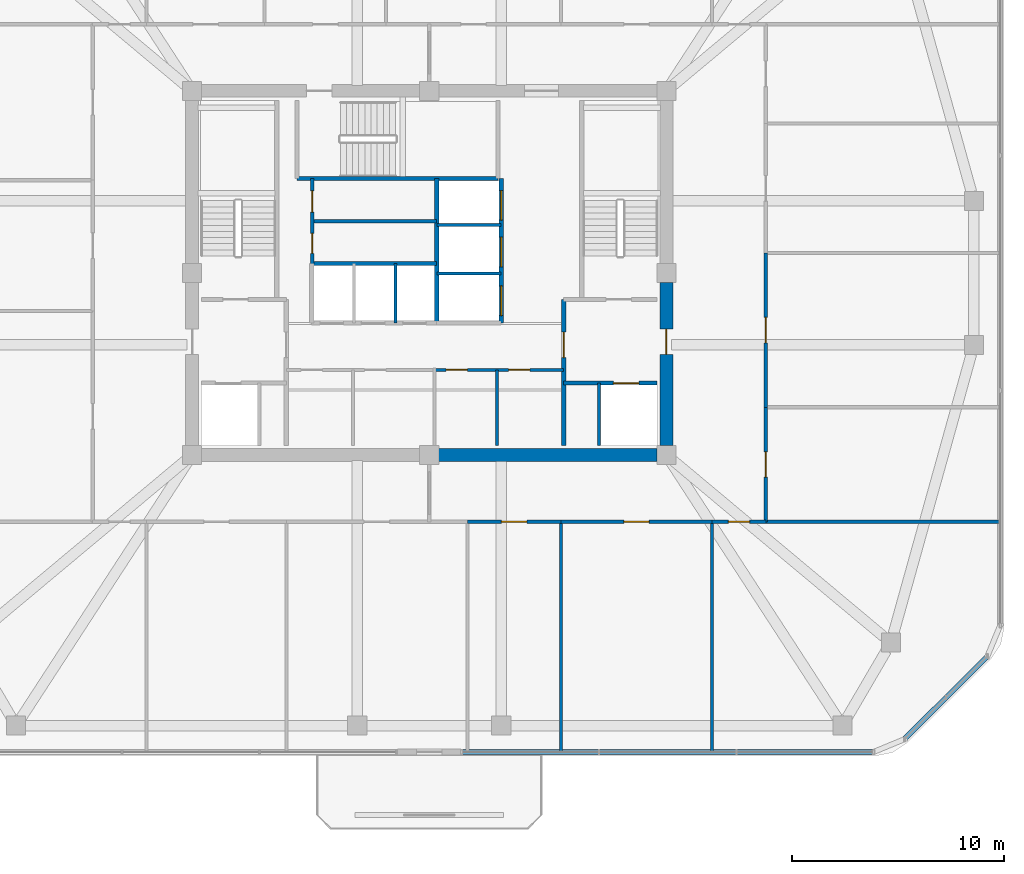
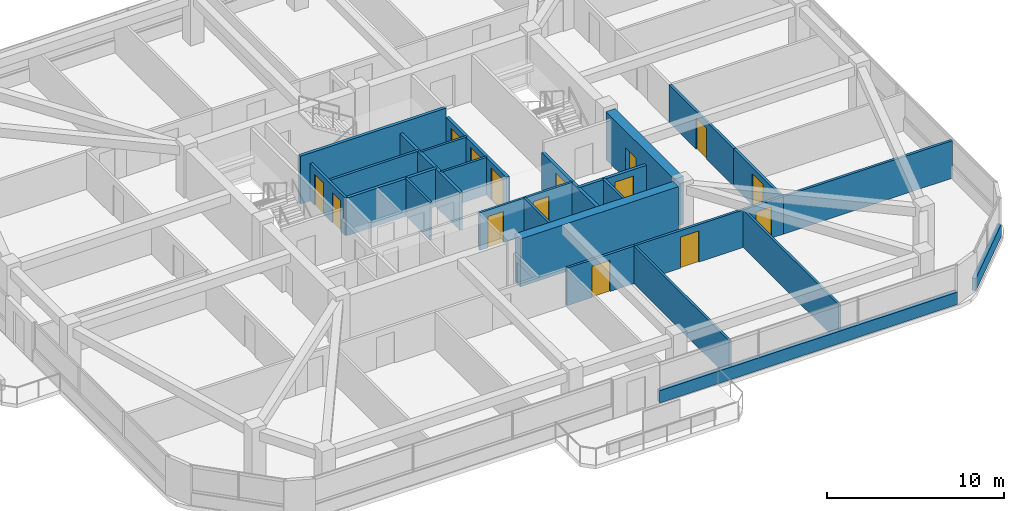
# One storey, part 9 of 13: 26 walls, 15 doors, 15 openings.
"""IFC4 building model written with IfcOpenShell, lengths in metres."""

import ifcopenshell
import ifcopenshell.guid

model = None  # the IFC model being written
_history = None  # IfcOwnerHistory: only IFC2X3 demands one
_inside = {}  # id of a spatial element -> (the spatial element, [elements in it])
_under = {}  # id of a project, library or spatial element -> (it, [spatial elements below it])
_declared = {}  # id of a project -> (the project, [libraries it declares])
_typed = {}  # id of a type object -> (the type object, [elements of that type])
_made_of = {}  # id of a material, layer set ... -> (it, [elements and type objects made of it])


def new_model(schema):
    """Start an empty IFC model of exactly this schema.

    Asked for "IFC4X3", IfcOpenShell would pick the latest addendum, in which some entities
    have other attributes; the version numbers below select the first issue.
    IFC2X3 requires an IfcOwnerHistory on every rooted entity: one is made here for all.
    """
    global model, _history
    if schema == "IFC4X3":
        model = ifcopenshell.file(schema_version=(4, 3, 0, 0))
    else:
        model = ifcopenshell.file(schema=schema)
    _inside.clear()
    _under.clear()
    _declared.clear()
    _typed.clear()
    _made_of.clear()
    _history = None
    if model.schema == "IFC2X3":
        org = make("IfcOrganization", Name="unknown")
        user = make(
            "IfcPersonAndOrganization",
            ThePerson=make("IfcPerson", FamilyName="unknown"),
            TheOrganization=org,
        )
        app = make(
            "IfcApplication",
            ApplicationDeveloper=org,
            Version="unknown",
            ApplicationFullName="unknown",
            ApplicationIdentifier="unknown",
        )
        _history = make(
            "IfcOwnerHistory",
            OwningUser=user,
            OwningApplication=app,
            ChangeAction="ADDED",
            CreationDate=0,
        )
    return model


def make(cls, **values):
    """One entity of the class cls with the attributes given. An attribute that is None is left unset."""
    return model.create_entity(
        cls, **{name: value for name, value in values.items() if value is not None}
    )


def rooted(cls, **values):
    """An entity with a GlobalId (a new one), such as an element, a storey or a relation."""
    return make(cls, GlobalId=ifcopenshell.guid.new(), OwnerHistory=_history, **values)


def si_unit(unit_type, name, prefix=None):
    """IfcSIUnit, for example si_unit("LENGTHUNIT", "METRE", prefix="MILLI")."""
    return make("IfcSIUnit", UnitType=unit_type, Prefix=prefix, Name=name)


def derived_unit(unit_type, elements):
    """IfcDerivedUnit: a product of units, each with its exponent."""
    return make(
        "IfcDerivedUnit",
        Elements=[
            make("IfcDerivedUnitElement", Unit=unit, Exponent=power)
            for unit, power in elements
        ],
        UnitType=unit_type,
    )


def assignment(units):
    """IfcUnitAssignment: the units of a project."""
    return None if units is None else make("IfcUnitAssignment", Units=units)


def point(xyz):
    """IfcCartesianPoint."""
    return None if xyz is None else make("IfcCartesianPoint", Coordinates=xyz)


def direction(xyz):
    """IfcDirection."""
    return None if xyz is None else make("IfcDirection", DirectionRatios=xyz)


def frame(location, z_axis=None, x_axis=None):
    """IfcAxis2Placement3D, a coordinate frame: its origin and axes. An axis left out is left unset."""
    return make(
        "IfcAxis2Placement3D",
        Location=point(location),
        Axis=direction(z_axis),
        RefDirection=direction(x_axis),
    )


def frame_2d(location, x_axis=None):
    """IfcAxis2Placement2D, a coordinate frame in the plane: its origin and x axis."""
    return make(
        "IfcAxis2Placement2D", Location=point(location), RefDirection=direction(x_axis)
    )


def origin():
    """The frame at (0, 0, 0) with its axes left unset."""
    return frame((0.0, 0.0, 0.0))


def place(relative_to, where):
    """IfcLocalPlacement: puts the frame where relative to a parent placement (None: the world)."""
    return make(
        "IfcLocalPlacement", PlacementRelTo=relative_to, RelativePlacement=where
    )


def context(
    kind, dimensions, precision=None, world=None, true_north=None, identifier=None
):
    """IfcGeometricRepresentationContext, for example the 3D "Model" context."""
    return make(
        "IfcGeometricRepresentationContext",
        ContextIdentifier=identifier,
        ContextType=kind,
        CoordinateSpaceDimension=dimensions,
        Precision=precision,
        WorldCoordinateSystem=world,
        TrueNorth=true_north,
    )


def subcontext(parent, identifier, kind, view, scale=None):
    """IfcGeometricRepresentationSubContext, for example "Body" below "Model"."""
    return make(
        "IfcGeometricRepresentationSubContext",
        ContextIdentifier=identifier,
        ContextType=kind,
        ParentContext=parent,
        TargetScale=scale,
        TargetView=view,
    )


def project(units=None, contexts=None):
    """IfcProject with its units and contexts."""
    return rooted(
        "IfcProject",
        Name="project",
        RepresentationContexts=contexts,
        UnitsInContext=assignment(units),
    )


def spatial(cls, under=None, at=None, **own):
    """A site, building, storey or space (cls), placed at a placement, below another one or the project."""
    s = rooted(cls, ObjectPlacement=at, **own)
    if under is not None:
        _under.setdefault(under.id(), (under, []))[1].append(s)
    return s


def profile(cls, at=None, kind="AREA", **sizes):
    """A parametric profile (cls). Its sizes go by their IFC names, for example OverallWidth=200.0."""
    return make(cls, ProfileType=kind, Position=at, **sizes)


def rectangle(**sizes):
    """IfcRectangleProfileDef."""
    return profile("IfcRectangleProfileDef", **sizes)


def extrude(swept, where, along, depth):
    """IfcExtrudedAreaSolid: the profile swept, set in the frame where, extruded along a direction by depth."""
    return make(
        "IfcExtrudedAreaSolid",
        SweptArea=swept,
        Position=where,
        ExtrudedDirection=direction(along),
        Depth=depth,
    )


def shape(context_of_items, identifier, shape_type, items):
    """IfcShapeRepresentation: the items that make up one representation, for example the "Body"."""
    return make(
        "IfcShapeRepresentation",
        ContextOfItems=context_of_items,
        RepresentationIdentifier=identifier,
        RepresentationType=shape_type,
        Items=items,
    )


def material(Name=None, Category=None):
    """IfcMaterial."""
    return make("IfcMaterial", Name=Name, Category=Category)


def layer(
    of_material, thickness, ventilated=None, Name=None, Category=None, Priority=None
):
    """IfcMaterialLayer: one layer of a wall or slab, of a material (None: an air gap)."""
    return make(
        "IfcMaterialLayer",
        Material=of_material,
        LayerThickness=thickness,
        IsVentilated=ventilated,
        Name=Name,
        Category=Category,
        Priority=Priority,
    )


def layer_set(layers, Name=None):
    """IfcMaterialLayerSet."""
    return make("IfcMaterialLayerSet", MaterialLayers=layers, LayerSetName=Name)


def made_of(thing, what):
    """Note that an element or type object is made of a material, layer set ...; save() writes the relation."""
    if what is not None:
        _made_of.setdefault(what.id(), (what, []))[1].append(thing)
    return thing


def type_object(cls, material=None, **own):
    """A type object (cls), such as IfcWallType, which elements share."""
    return made_of(rooted(cls, **own), material)


def element(
    cls,
    number,
    at=None,
    inside=None,
    cuts=None,
    type_object=None,
    material=None,
    context=None,
    identifier="Body",
    shape_type=None,
    held_by="IfcProductDefinitionShape",
    body=None,
    shapes=None,
    **own,
):
    """One element of the class cls, such as IfcWall. Its Tag is "e" and its number.

    at: its placement. inside: the storey or other place that contains it. cuts: it is an
    opening in that element (IfcRelVoidsElement). A single representation is given by context,
    identifier, shape_type and body (its items); several are given by shapes. held_by: the class
    of the entity that holds the representations. save() writes the other relations.
    """
    e = rooted(cls, Tag="e%d" % number, ObjectPlacement=at, **own)
    if body is not None:
        shapes = [shape(context, identifier, shape_type, body)]
    if shapes is not None:
        e.Representation = make(held_by, Representations=shapes)
    if inside is not None:
        _inside.setdefault(inside.id(), (inside, []))[1].append(e)
    if cuts is not None:
        rooted(
            "IfcRelVoidsElement", RelatingBuildingElement=cuts, RelatedOpeningElement=e
        )
    if type_object is not None:
        _typed.setdefault(type_object.id(), (type_object, []))[1].append(e)
    return made_of(e, material)


def fill(opening, filler):
    """IfcRelFillsElement: the door or window that sits in an opening."""
    return rooted(
        "IfcRelFillsElement",
        RelatingOpeningElement=opening,
        RelatedBuildingElement=filler,
    )


def aggregate(whole, parts):
    """IfcRelAggregates: a whole, such as a stair, and the parts it consists of."""
    return rooted("IfcRelAggregates", RelatingObject=whole, RelatedObjects=parts)


def save(model, path):
    """Write the relations noted so far, then the file.

    IfcRelAggregates (storeys below a building ...), IfcRelContainedInSpatialStructure (elements
    in a storey), IfcRelDefinesByType, IfcRelAssociatesMaterial and IfcRelDeclares: one each for
    every whole, place, type object, material and project.
    """
    for whole, parts in _under.values():
        aggregate(whole, parts)
    for where, things in _inside.values():
        rooted(
            "IfcRelContainedInSpatialStructure",
            RelatedElements=things,
            RelatingStructure=where,
        )
    for kind, things in _typed.values():
        rooted("IfcRelDefinesByType", RelatedObjects=things, RelatingType=kind)
    for what, things in _made_of.values():
        rooted("IfcRelAssociatesMaterial", RelatedObjects=things, RelatingMaterial=what)
    for by, libraries in _declared.values():
        rooted("IfcRelDeclares", RelatingContext=by, RelatedDefinitions=libraries)
    model.write(path)


model = new_model("IFC4")

# Units and contexts
model_context = context("Model", 3, precision=1e-05, world=origin(), true_north=direction((0.0, 1.0)))
body_context = subcontext(model_context, "Body", "Model", "MODEL_VIEW")
ifc_project = project(units=[si_unit("LENGTHUNIT", "METRE"), si_unit("AREAUNIT", "SQUARE_METRE"), si_unit("VOLUMEUNIT", "CUBIC_METRE"), si_unit("PLANEANGLEUNIT", "RADIAN"), si_unit("MASSUNIT", "GRAM", prefix="KILO"), derived_unit("THERMALTRANSMITTANCEUNIT", [(si_unit("POWERUNIT", "WATT"), 1), (si_unit("LENGTHUNIT", "METRE"), -2), (si_unit("THERMODYNAMICTEMPERATUREUNIT", "KELVIN"), -1)])], contexts=[model_context])

# Site, building, storey
site_placement = place(None, origin())
site = spatial("IfcSite", under=ifc_project, at=site_placement, CompositionType="ELEMENT")
building_placement = place(site_placement, origin())
building = spatial("IfcBuilding", under=site, at=building_placement, Name="Koralith Skygarden Medical Center", CompositionType="ELEMENT")
storey_placement = place(building_placement, frame((0.0, 0.0, 228.780029296875)))
storey = spatial("IfcBuildingStorey", under=building, at=storey_placement, Name="L59", CompositionType="ELEMENT", Elevation=228.780029296875)

# Wall, openings, doors
ifc_material_1 = material(Name="Gypsum Board Partition")
ifc_layer_1 = layer(ifc_material_1, 0.14990234375)
ifc_layer_set_1 = layer_set([ifc_layer_1], Name="Gypsum Board Partition")
wall_type_1 = type_object("IfcWallType", Name="Clinical Acoustic Partition 150", PredefinedType="PARTITIONING", material=ifc_layer_set_1)
wall_1_placement = place(storey_placement, frame((37.25, 21.320068359375, 0.0), z_axis=(0.0, 0.0, 1.0), x_axis=(1.0, 0.0, 0.0)))
wall_1 = element("IfcWall", 1, at=wall_1_placement, inside=storey, type_object=wall_type_1, Name="L59 Clinical Acoustic Partition 150 W-CORE-L59-FREED-MR-N", PredefinedType="PARTITIONING", context=body_context, shape_type="SweptSolid", body=[
    extrude(rectangle(XDim=6.10009765625, YDim=0.14990234375, at=frame_2d((3.050048828125, 0.0))), origin(), (0.0, 0.0, 1.0), 2.590087890625),
])
opening_1_placement = place(wall_1_placement, frame((0.550048828125, 0.0, 0.0)))
opening_1 = element("IfcOpeningElement", 2, at=opening_1_placement, cuts=wall_1, Name="Opening D-SUP", PredefinedType="OPENING", context=body_context, shape_type="SweptSolid", body=[
    extrude(rectangle(XDim=1.0, YDim=2.14990234375, at=frame_2d((0.5, 1.074951171875))), frame((0.0, 0.0849609375, 0.0), z_axis=(0.0, -1.0, 0.0), x_axis=(1.0, 0.0, 0.0)), (0.0, 0.0, 1.0), 0.169921875),
])
opening_2_placement = place(wall_1_placement, frame((3.5, 0.0, 0.0)))
opening_2 = element("IfcOpeningElement", 3, at=opening_2_placement, cuts=wall_1, Name="Opening D-SUP", PredefinedType="OPENING", context=body_context, shape_type="SweptSolid", body=[
    extrude(rectangle(XDim=1.0, YDim=2.14990234375, at=frame_2d((0.5, 1.074951171875))), frame((0.0, 0.0849609375, 0.0), z_axis=(0.0, -1.0, 0.0), x_axis=(1.0, 0.0, 0.0)), (0.0, 0.0, 1.0), 0.169921875),
])
ifc_material_2 = material(Name="Aluminium 6063-T6", Category="aluminium")
door_type_1 = type_object("IfcDoorType", Name="Clinical Support Door D-SUP 1000", OperationType="NOTDEFINED", PredefinedType="DOOR", material=ifc_material_2)
door_1_placement = place(opening_1_placement, frame((1.0, 0.0, 0.0), z_axis=(0.0, 0.0, 1.0), x_axis=(-1.0, 0.0, 0.0)))
door_1 = element("IfcDoor", 4, at=door_1_placement, inside=storey, type_object=door_type_1, Name="L59 Satellite Pharmacy Door", OperationType="SINGLE_SWING_LEFT", OverallHeight=2.14990234375, OverallWidth=1.0, PredefinedType="DOOR", context=body_context, shape_type="SweptSolid", body=[
    extrude(rectangle(XDim=1.0, YDim=2.14990234375, at=frame_2d((0.5, 1.074951171875))), frame((0.0, 0.02490234375, 0.0), z_axis=(0.0, -1.0, 0.0), x_axis=(1.0, 0.0, 0.0)), (0.0, 0.0, 1.0), 0.050048828125),
])
fill(opening_1, door_1)
door_2_placement = place(opening_2_placement, frame((1.0, 0.0, 0.0), z_axis=(0.0, 0.0, 1.0), x_axis=(-1.0, 0.0, 0.0)))
door_2 = element("IfcDoor", 5, at=door_2_placement, inside=storey, type_object=door_type_1, Name="L59 Biomedical Equipment Door", OperationType="SINGLE_SWING_RIGHT", OverallHeight=2.14990234375, OverallWidth=1.0, PredefinedType="DOOR", context=body_context, shape_type="SweptSolid", body=[
    extrude(rectangle(XDim=1.0, YDim=2.14990234375, at=frame_2d((0.5, 1.074951171875))), frame((0.0, 0.02490234375, 0.0), z_axis=(0.0, -1.0, 0.0), x_axis=(1.0, 0.0, 0.0)), (0.0, 0.0, 1.0), 0.050048828125),
])
fill(opening_2, door_2)

# Walls
wall_2_placement = place(storey_placement, frame((40.199951171875, 17.75, 0.0), z_axis=(0.0, 0.0, 1.0), x_axis=(0.0, 1.0, 0.0)))
element("IfcWall", 6, at=wall_2_placement, inside=storey, type_object=wall_type_1, Name="L59 Clinical Acoustic Partition 150 W-CORE-L59-FREED-MR-M", PredefinedType="PARTITIONING", context=body_context, shape_type="SweptSolid", body=[
    extrude(rectangle(XDim=3.570068359375, YDim=0.14990234375, at=frame_2d((1.78515625, 0.0))), origin(), (0.0, 0.0, 1.0), 2.590087890625),
])
for number, where, z_axis, x_axis, name in (
    (7, (43.220947265625, 14.14990234375, 0.0), (0.0, 0.0, 1.0), (0.0, -1.0, 0.0), "L59 Clinical Acoustic Partition 150 W-PART-L59-S-04"),
    (8, (50.35009765625, 14.14990234375, 0.0), (0.0, 0.0, 1.0), (0.0, -1.0, 0.0), "L59 Clinical Acoustic Partition 150 W-PART-L59-S-05"),
):
    element("IfcWall", number, at=place(storey_placement, frame(where, z_axis=z_axis, x_axis=x_axis)), inside=storey, type_object=wall_type_1, Name=name, PredefinedType="PARTITIONING", context=body_context, shape_type="SweptSolid", body=[
        extrude(rectangle(XDim=10.849853515625, YDim=0.14990234375, at=frame_2d((5.4248046875, 0.0))), origin(), (0.0, 0.0, 1.0), 2.590087890625),
    ])
ifc_layer_2 = layer(ifc_material_1, 0.1650390625)
ifc_layer_set_2 = layer_set([ifc_layer_2], Name="Gypsum Board Partition")
wall_type_2 = type_object("IfcWallType", Name="Clinical Corridor Partition 165", PredefinedType="PARTITIONING", material=ifc_layer_set_2)
wall_3_placement = place(storey_placement, frame((52.89990234375, 14.14990234375, 0.0), z_axis=(0.0, 0.0, 1.0), x_axis=(1.0, 0.0, 0.0)))
element("IfcWall", 9, at=wall_3_placement, inside=storey, type_object=wall_type_2, Name="L59 Clinical Corridor Partition 165 W-WB-L59-SE", PredefinedType="PARTITIONING", context=body_context, shape_type="SweptSolid", body=[
    extrude(rectangle(XDim=11.0419921875, YDim=0.1650390625, at=frame_2d((5.52099609375, 0.0))), origin(), (0.0, 0.0, 1.0), 2.590087890625),
])

# Wall, opening, door
wall_4_placement = place(storey_placement, frame((38.800048828125, 14.14990234375, 0.0), z_axis=(0.0, 0.0, 1.0), x_axis=(1.0, 0.0, 0.0)))
wall_4 = element("IfcWall", 10, at=wall_4_placement, inside=storey, type_object=wall_type_2, Name="L59 Clinical Corridor Partition 165 W-CORR-L59-S-04", PredefinedType="PARTITIONING", context=body_context, shape_type="SweptSolid", body=[
    extrude(rectangle(XDim=4.4208984375, YDim=0.1650390625, at=frame_2d((2.21044921875, 0.0))), origin(), (0.0, 0.0, 1.0), 2.590087890625),
])
opening_3_placement = place(wall_4_placement, frame((1.610107421875, 0.0, 0.0)))
opening_3 = element("IfcOpeningElement", 11, at=opening_3_placement, cuts=wall_4, Name="Opening D-CLN", PredefinedType="OPENING", context=body_context, shape_type="SweptSolid", body=[
    extrude(rectangle(XDim=1.199951171875, YDim=2.14990234375, at=frame_2d((0.60009765625, 1.074951171875))), frame((0.0, 0.092529296875, 0.0), z_axis=(0.0, -1.0, 0.0), x_axis=(1.0, 0.0, 0.0)), (0.0, 0.0, 1.0), 0.18505859375),
])
door_type_2 = type_object("IfcDoorType", Name="Clinical Corridor Door D-CLN 1200", OperationType="NOTDEFINED", PredefinedType="DOOR", material=ifc_material_2)
door_3_placement = place(opening_3_placement, frame((1.199951171875, 0.0, 0.0), z_axis=(0.0, 0.0, 1.0), x_axis=(-1.0, 0.0, 0.0)))
door_3 = element("IfcDoor", 12, at=door_3_placement, inside=storey, type_object=door_type_2, Name="L59 Medical Resident Teaching Seminar Room 10 Door", OperationType="SINGLE_SWING_LEFT", OverallHeight=2.14990234375, OverallWidth=1.199951171875, PredefinedType="DOOR", context=body_context, shape_type="SweptSolid", body=[
    extrude(rectangle(XDim=1.199951171875, YDim=2.14990234375, at=frame_2d((0.60009765625, 1.074951171875))), frame((0.0, 0.02490234375, 0.0), z_axis=(0.0, -1.0, 0.0), x_axis=(1.0, 0.0, 0.0)), (0.0, 0.0, 1.0), 0.050048828125),
])
fill(opening_3, door_3)

wall_5_placement = place(storey_placement, frame((43.220947265625, 14.14990234375, 0.0), z_axis=(0.0, 0.0, 1.0), x_axis=(1.0, 0.0, 0.0)))
wall_5 = element("IfcWall", 13, at=wall_5_placement, inside=storey, type_object=wall_type_2, Name="L59 Clinical Corridor Partition 165 W-CORR-L59-S-05", PredefinedType="PARTITIONING", context=body_context, shape_type="SweptSolid", body=[
    extrude(rectangle(XDim=7.129150390625, YDim=0.1650390625, at=frame_2d((3.564453125, 0.0))), origin(), (0.0, 0.0, 1.0), 2.590087890625),
])
opening_4_placement = place(wall_5_placement, frame((2.965087890625, 0.0, 0.0)))
opening_4 = element("IfcOpeningElement", 14, at=opening_4_placement, cuts=wall_5, Name="Opening D-CLN", PredefinedType="OPENING", context=body_context, shape_type="SweptSolid", body=[
    extrude(rectangle(XDim=1.199951171875, YDim=2.14990234375, at=frame_2d((0.60009765625, 1.074951171875))), frame((0.0, 0.092529296875, 0.0), z_axis=(0.0, -1.0, 0.0), x_axis=(1.0, 0.0, 0.0)), (0.0, 0.0, 1.0), 0.18505859375),
])
door_4_placement = place(opening_4_placement, frame((1.199951171875, 0.0, 0.0), z_axis=(0.0, 0.0, 1.0), x_axis=(-1.0, 0.0, 0.0)))
door_4 = element("IfcDoor", 15, at=door_4_placement, inside=storey, type_object=door_type_2, Name="L59 Care Coordinator Office 11 Door", OperationType="SINGLE_SWING_RIGHT", OverallHeight=2.14990234375, OverallWidth=1.199951171875, PredefinedType="DOOR", context=body_context, shape_type="SweptSolid", body=[
    extrude(rectangle(XDim=1.199951171875, YDim=2.14990234375, at=frame_2d((0.60009765625, 1.074951171875))), frame((0.0, 0.02490234375, 0.0), z_axis=(0.0, -1.0, 0.0), x_axis=(1.0, 0.0, 0.0)), (0.0, 0.0, 1.0), 0.050048828125),
])
fill(opening_4, door_4)

wall_6_placement = place(storey_placement, frame((50.35009765625, 14.14990234375, 0.0), z_axis=(0.0, 0.0, 1.0), x_axis=(1.0, 0.0, 0.0)))
wall_6 = element("IfcWall", 16, at=wall_6_placement, inside=storey, type_object=wall_type_2, Name="L59 Clinical Corridor Partition 165 W-CORR-L59-S-06", PredefinedType="PARTITIONING", context=body_context, shape_type="SweptSolid", body=[
    extrude(rectangle(XDim=2.5498046875, YDim=0.1650390625, at=frame_2d((1.27490234375, 0.0))), origin(), (0.0, 0.0, 1.0), 2.590087890625),
])
opening_5_placement = place(wall_6_placement, frame((0.77490234375, 0.0, 0.0)))
opening_5 = element("IfcOpeningElement", 17, at=opening_5_placement, cuts=wall_6, Name="Opening D-SUP", PredefinedType="OPENING", context=body_context, shape_type="SweptSolid", body=[
    extrude(rectangle(XDim=1.0, YDim=2.14990234375, at=frame_2d((0.5, 1.074951171875))), frame((0.0, 0.092529296875, 0.0), z_axis=(0.0, -1.0, 0.0), x_axis=(1.0, 0.0, 0.0)), (0.0, 0.0, 1.0), 0.18505859375),
])
door_5_placement = place(opening_5_placement, frame((1.0, 0.0, 0.0), z_axis=(0.0, 0.0, 1.0), x_axis=(-1.0, 0.0, 0.0)))
door_5 = element("IfcDoor", 18, at=door_5_placement, inside=storey, type_object=door_type_1, Name="L59 Sterile Supply Equipment Store 12 Door", OperationType="SINGLE_SWING_LEFT", OverallHeight=2.14990234375, OverallWidth=1.0, PredefinedType="DOOR", context=body_context, shape_type="SweptSolid", body=[
    extrude(rectangle(XDim=1.0, YDim=2.14990234375, at=frame_2d((0.5, 1.074951171875))), frame((0.0, 0.02490234375, 0.0), z_axis=(0.0, -1.0, 0.0), x_axis=(1.0, 0.0, 0.0)), (0.0, 0.0, 1.0), 0.050048828125),
])
fill(opening_5, door_5)

wall_7_placement = place(storey_placement, frame((52.89990234375, 14.14990234375, 0.0), z_axis=(0.0, 0.0, 1.0), x_axis=(0.0, 1.0, 0.0)))
wall_7 = element("IfcWall", 19, at=wall_7_placement, inside=storey, type_object=wall_type_2, Name="L59 Clinical Corridor Partition 165 W-CORR-L59-E-01", PredefinedType="PARTITIONING", context=body_context, shape_type="SweptSolid", body=[
    extrude(rectangle(XDim=5.405029296875, YDim=0.1650390625, at=frame_2d((2.70263671875, 0.0))), origin(), (0.0, 0.0, 1.0), 2.590087890625),
])
opening_6_placement = place(wall_7_placement, frame((2.10205078125, 0.0, 0.0)))
opening_6 = element("IfcOpeningElement", 20, at=opening_6_placement, cuts=wall_7, Name="Opening D-CLN", PredefinedType="OPENING", context=body_context, shape_type="SweptSolid", body=[
    extrude(rectangle(XDim=1.199951171875, YDim=2.14990234375, at=frame_2d((0.60009765625, 1.074951171875))), frame((0.0, 0.092529296875, 0.0), z_axis=(0.0, -1.0, 0.0), x_axis=(1.0, 0.0, 0.0)), (0.0, 0.0, 1.0), 0.18505859375),
])
door_6_placement = place(opening_6_placement, origin())
door_6 = element("IfcDoor", 21, at=door_6_placement, inside=storey, type_object=door_type_2, Name="L59 Care Coordinator Office 16 Door", OperationType="SINGLE_SWING_LEFT", OverallHeight=2.14990234375, OverallWidth=1.199951171875, PredefinedType="DOOR", context=body_context, shape_type="SweptSolid", body=[
    extrude(rectangle(XDim=1.199951171875, YDim=2.14990234375, at=frame_2d((0.60009765625, 1.074951171875))), frame((0.0, 0.02490234375, 0.0), z_axis=(0.0, -1.0, 0.0), x_axis=(1.0, 0.0, 0.0)), (0.0, 0.0, 1.0), 0.050048828125),
])
fill(opening_6, door_6)

wall_8_placement = place(storey_placement, frame((52.89990234375, 19.554931640625, 0.0), z_axis=(0.0, 0.0, 1.0), x_axis=(0.0, 1.0, 0.0)))
wall_8 = element("IfcWall", 22, at=wall_8_placement, inside=storey, type_object=wall_type_2, Name="L59 Clinical Corridor Partition 165 W-CORR-L59-E-02", PredefinedType="PARTITIONING", context=body_context, shape_type="SweptSolid", body=[
    extrude(rectangle(XDim=7.28515625, YDim=0.1650390625, at=frame_2d((3.642578125, 0.0))), origin(), (0.0, 0.0, 1.0), 2.590087890625),
])
opening_7_placement = place(wall_8_placement, frame((3.0419921875, 0.0, 0.0)))
opening_7 = element("IfcOpeningElement", 23, at=opening_7_placement, cuts=wall_8, Name="Opening D-CLN", PredefinedType="OPENING", context=body_context, shape_type="SweptSolid", body=[
    extrude(rectangle(XDim=1.199951171875, YDim=2.14990234375, at=frame_2d((0.60009765625, 1.074951171875))), frame((0.0, 0.092529296875, 0.0), z_axis=(0.0, -1.0, 0.0), x_axis=(1.0, 0.0, 0.0)), (0.0, 0.0, 1.0), 0.18505859375),
])
door_7_placement = place(opening_7_placement, origin())
door_7 = element("IfcDoor", 24, at=door_7_placement, inside=storey, type_object=door_type_2, Name="L59 Sterile Supply Equipment Store 17 Door", OperationType="SINGLE_SWING_RIGHT", OverallHeight=2.14990234375, OverallWidth=1.199951171875, PredefinedType="DOOR", context=body_context, shape_type="SweptSolid", body=[
    extrude(rectangle(XDim=1.199951171875, YDim=2.14990234375, at=frame_2d((0.60009765625, 1.074951171875))), frame((0.0, 0.02490234375, 0.0), z_axis=(0.0, -1.0, 0.0), x_axis=(1.0, 0.0, 0.0)), (0.0, 0.0, 1.0), 0.050048828125),
])
fill(opening_7, door_7)

ifc_layer_3 = layer(ifc_material_1, 0.199951171875)
ifc_layer_set_3 = layer_set([ifc_layer_3], Name="Gypsum Board Partition")
wall_type_3 = type_object("IfcWallType", Name="Fire Shaft Wall 200", PredefinedType="SOLIDWALL", material=ifc_layer_set_3)
wall_9_placement = place(storey_placement, frame((43.35009765625, 20.699951171875, 0.0), z_axis=(0.0, 0.0, 1.0), x_axis=(1.0, 0.0, 0.0)))
wall_9 = element("IfcWall", 25, at=wall_9_placement, inside=storey, type_object=wall_type_3, Name="L59 Fire Shaft Wall 200 W-CORE-L59-FF2-N", PredefinedType="SOLIDWALL", context=body_context, shape_type="SweptSolid", body=[
    extrude(rectangle(XDim=4.39990234375, YDim=0.199951171875, at=frame_2d((2.199951171875, 0.0))), origin(), (0.0, 0.0, 1.0), 2.590087890625),
])
opening_8_placement = place(wall_9_placement, frame((2.35009765625, 0.0, 0.0)))
opening_8 = element("IfcOpeningElement", 26, at=opening_8_placement, cuts=wall_9, Name="Opening LD-FF", PredefinedType="OPENING", context=body_context, shape_type="SweptSolid", body=[
    extrude(rectangle(XDim=1.199951171875, YDim=2.14990234375, at=frame_2d((0.60009765625, 1.074951171875))), frame((0.0, 0.10986328125, 0.0), z_axis=(0.0, -1.0, 0.0), x_axis=(1.0, 0.0, 0.0)), (0.0, 0.0, 1.0), 0.219970703125),
])
ifc_material_3 = material(Name="Steel ASTM A500 Grade C", Category="steel")
door_type_3 = type_object("IfcDoorType", Name="Fire Lift Sliding Landing Door LD-FF 1200", OperationType="NOTDEFINED", PredefinedType="DOOR", material=ifc_material_3)
door_8_placement = place(opening_8_placement, origin())
door_8 = element("IfcDoor", 27, at=door_8_placement, inside=storey, type_object=door_type_3, Name="L59 Fire Service Elevator FF2 Landing Door", OperationType="SLIDING_TO_RIGHT", OverallHeight=2.14990234375, OverallWidth=1.199951171875, PredefinedType="DOOR", context=body_context, shape_type="SweptSolid", body=[
    extrude(rectangle(XDim=1.199951171875, YDim=2.14990234375, at=frame_2d((0.60009765625, 1.074951171875))), frame((0.0, 0.02490234375, 0.0), z_axis=(0.0, -1.0, 0.0), x_axis=(1.0, 0.0, 0.0)), (0.0, 0.0, 1.0), 0.050048828125),
])
fill(opening_8, door_8)

wall_10_placement = place(storey_placement, frame((43.35009765625, 17.75, 0.0), z_axis=(0.0, 0.0, 1.0), x_axis=(0.0, 1.0, 0.0)))
wall_10 = element("IfcWall", 28, at=wall_10_placement, inside=storey, type_object=wall_type_3, Name="L59 Fire Shaft Wall 200 W-CORE-L59-FSAEE-W", PredefinedType="SOLIDWALL", context=body_context, shape_type="SweptSolid", body=[
    extrude(rectangle(XDim=6.89990234375, YDim=0.199951171875, at=frame_2d((3.449951171875, 0.0))), origin(), (0.0, 0.0, 1.0), 2.590087890625),
])
opening_9_placement = place(wall_10_placement, frame((4.14990234375, 0.0, 0.0)))
opening_9 = element("IfcOpeningElement", 29, at=opening_9_placement, cuts=wall_10, Name="Opening D-ST60", PredefinedType="OPENING", context=body_context, shape_type="SweptSolid", body=[
    extrude(rectangle(XDim=1.199951171875, YDim=2.14990234375, at=frame_2d((0.60009765625, 1.074951171875))), frame((0.0, 0.10986328125, 0.0), z_axis=(0.0, -1.0, 0.0), x_axis=(1.0, 0.0, 0.0)), (0.0, 0.0, 1.0), 0.219970703125),
])
door_type_4 = type_object("IfcDoorType", Name="Smokeproof Stair Fire Door FD60S 1200", OperationType="NOTDEFINED", PredefinedType="DOOR", material=ifc_material_3)
door_9_placement = place(opening_9_placement, frame((1.199951171875, 0.0, 0.0), z_axis=(0.0, 0.0, 1.0), x_axis=(-1.0, 0.0, 0.0)))
door_9 = element("IfcDoor", 30, at=door_9_placement, inside=storey, type_object=door_type_4, Name="L59 East Firefighting Lobby Inner Fire Door", OperationType="SINGLE_SWING_RIGHT", OverallHeight=2.14990234375, OverallWidth=1.199951171875, PredefinedType="DOOR", context=body_context, shape_type="SweptSolid", body=[
    extrude(rectangle(XDim=1.199951171875, YDim=2.14990234375, at=frame_2d((0.60009765625, 1.074951171875))), frame((0.0, 0.02490234375, 0.0), z_axis=(0.0, -1.0, 0.0), x_axis=(1.0, 0.0, 0.0)), (0.0, 0.0, 1.0), 0.050048828125),
])
fill(opening_9, door_9)

# Walls
wall_11_placement = place(storey_placement, frame((31.449951171875, 26.35009765625, 0.0), z_axis=(0.0, 0.0, 1.0), x_axis=(1.0, 0.0, 0.0)))
element("IfcWall", 31, at=wall_11_placement, inside=storey, type_object=wall_type_3, Name="L59 Fire Shaft Wall 200 W-CORE-L59-PH-N", PredefinedType="SOLIDWALL", context=body_context, shape_type="SweptSolid", body=[
    extrude(rectangle(XDim=5.900146484375, YDim=0.199951171875, at=frame_2d((2.9501953125, 0.0))), origin(), (0.0, 0.0, 1.0), 2.590087890625),
])
wall_12_placement = place(storey_placement, frame((37.35009765625, 23.5400390625, 0.0), z_axis=(0.0, 0.0, 1.0), x_axis=(0.0, 1.0, 0.0)))
element("IfcWall", 32, at=wall_12_placement, inside=storey, type_object=wall_type_3, Name="L59 Fire Shaft Wall 200 W-CORE-L59-SV-W", PredefinedType="SOLIDWALL", context=body_context, shape_type="SweptSolid", body=[
    extrude(rectangle(XDim=6.820068359375, YDim=0.199951171875, at=frame_2d((3.41015625, 0.0))), origin(), (0.0, 0.0, 1.0), 2.590087890625),
])

# Wall, openings, doors
wall_13_placement = place(storey_placement, frame((40.39990234375, 23.5400390625, 0.0), z_axis=(0.0, 0.0, 1.0), x_axis=(0.0, 1.0, 0.0)))
wall_13 = element("IfcWall", 33, at=wall_13_placement, inside=storey, type_object=wall_type_3, Name="L59 Fire Shaft Wall 200 W-CORE-L59-SV-E", PredefinedType="SOLIDWALL", context=body_context, shape_type="SweptSolid", body=[
    extrude(rectangle(XDim=6.820068359375, YDim=0.199951171875, at=frame_2d((3.41015625, 0.0))), origin(), (0.0, 0.0, 1.0), 2.590087890625),
])
opening_10_placement = place(wall_13_placement, frame((0.35009765625, 0.0, 0.0)))
opening_10 = element("IfcOpeningElement", 34, at=opening_10_placement, cuts=wall_13, Name="Opening LD-SV", PredefinedType="OPENING", context=body_context, shape_type="SweptSolid", body=[
    extrude(rectangle(XDim=1.39990234375, YDim=2.199951171875, at=frame_2d((0.699951171875, 1.10009765625))), frame((0.0, 0.10986328125, 0.0), z_axis=(0.0, -1.0, 0.0), x_axis=(1.0, 0.0, 0.0)), (0.0, 0.0, 1.0), 0.219970703125),
])
opening_11_placement = place(wall_13_placement, frame((2.64990234375, 0.0, 0.0)))
opening_11 = element("IfcOpeningElement", 35, at=opening_11_placement, cuts=wall_13, Name="Opening LD-SV", PredefinedType="OPENING", context=body_context, shape_type="SweptSolid", body=[
    extrude(rectangle(XDim=1.39990234375, YDim=2.199951171875, at=frame_2d((0.699951171875, 1.10009765625))), frame((0.0, 0.10986328125, 0.0), z_axis=(0.0, -1.0, 0.0), x_axis=(1.0, 0.0, 0.0)), (0.0, 0.0, 1.0), 0.219970703125),
])
opening_12_placement = place(wall_13_placement, frame((4.85009765625, 0.0, 0.0)))
opening_12 = element("IfcOpeningElement", 36, at=opening_12_placement, cuts=wall_13, Name="Opening LD-SV", PredefinedType="OPENING", context=body_context, shape_type="SweptSolid", body=[
    extrude(rectangle(XDim=1.39990234375, YDim=2.199951171875, at=frame_2d((0.699951171875, 1.10009765625))), frame((0.0, 0.10986328125, 0.0), z_axis=(0.0, -1.0, 0.0), x_axis=(1.0, 0.0, 0.0)), (0.0, 0.0, 1.0), 0.219970703125),
])
door_type_5 = type_object("IfcDoorType", Name="Bed Lift Sliding Landing Door LD-SV 1400", OperationType="NOTDEFINED", PredefinedType="DOOR", material=ifc_material_3)
door_10_placement = place(opening_10_placement, origin())
door_10 = element("IfcDoor", 37, at=door_10_placement, inside=storey, type_object=door_type_5, Name="L59 Bed Elevator BD1 Landing Door", OperationType="SLIDING_TO_LEFT", OverallHeight=2.199951171875, OverallWidth=1.39990234375, PredefinedType="DOOR", context=body_context, shape_type="SweptSolid", body=[
    extrude(rectangle(XDim=1.39990234375, YDim=2.199951171875, at=frame_2d((0.699951171875, 1.10009765625))), frame((0.0, 0.02490234375, 0.0), z_axis=(0.0, -1.0, 0.0), x_axis=(1.0, 0.0, 0.0)), (0.0, 0.0, 1.0), 0.050048828125),
])
fill(opening_10, door_10)
door_11_placement = place(opening_11_placement, origin())
door_11 = element("IfcDoor", 38, at=door_11_placement, inside=storey, type_object=door_type_5, Name="L59 Service Elevator BD2 Landing Door", OperationType="SLIDING_TO_LEFT", OverallHeight=2.199951171875, OverallWidth=1.39990234375, PredefinedType="DOOR", context=body_context, shape_type="SweptSolid", body=[
    extrude(rectangle(XDim=1.39990234375, YDim=2.199951171875, at=frame_2d((0.699951171875, 1.10009765625))), frame((0.0, 0.02490234375, 0.0), z_axis=(0.0, -1.0, 0.0), x_axis=(1.0, 0.0, 0.0)), (0.0, 0.0, 1.0), 0.050048828125),
])
fill(opening_11, door_11)
door_12_placement = place(opening_12_placement, origin())
door_12 = element("IfcDoor", 39, at=door_12_placement, inside=storey, type_object=door_type_5, Name="L59 Trauma Elevator TR1 Landing Door", OperationType="SLIDING_TO_RIGHT", OverallHeight=2.199951171875, OverallWidth=1.39990234375, PredefinedType="DOOR", context=body_context, shape_type="SweptSolid", body=[
    extrude(rectangle(XDim=1.39990234375, YDim=2.199951171875, at=frame_2d((0.699951171875, 1.10009765625))), frame((0.0, 0.02490234375, 0.0), z_axis=(0.0, -1.0, 0.0), x_axis=(1.0, 0.0, 0.0)), (0.0, 0.0, 1.0), 0.050048828125),
])
fill(opening_12, door_12)

# Walls
ifc_material_4 = material(Name="Warm Oolitic Limestone Cladding", Category="masonry")
ifc_layer_4 = layer(ifc_material_4, 0.239990234375)
ifc_layer_set_4 = layer_set([ifc_layer_4], Name="Warm Oolitic Limestone Cladding")
wall_type_4 = type_object("IfcWallType", Name="Limestone Spandrel Sill Backup Wall 240", PredefinedType="SOLIDWALL", material=ifc_layer_set_4)
wall_14_placement = place(storey_placement, frame((38.5390625, 3.280029296875, 0.0), z_axis=(0.0, 0.0, 1.0), x_axis=(1.0, 0.0, 0.0)))
element("IfcWall", 40, at=wall_14_placement, inside=storey, type_object=wall_type_4, Name="L59 Sill Spandrel S-R", PredefinedType="SOLIDWALL", context=body_context, shape_type="SweptSolid", body=[
    extrude(rectangle(XDim=19.447998046875, YDim=0.239990234375, at=frame_2d((9.72412109375, 0.0))), origin(), (0.0, 0.0, 1.0), 0.849853515625),
])
wall_15_placement = place(storey_placement, frame((59.43798828125, 3.881103515625, 0.0), z_axis=(0.0, 0.0, 1.0), x_axis=(0.707128783731, 0.707084777957, 0.0)))
element("IfcWall", 41, at=wall_15_placement, inside=storey, type_object=wall_type_4, Name="L59 Sill Spandrel SE", PredefinedType="SOLIDWALL", context=body_context, shape_type="SweptSolid", body=[
    extrude(rectangle(XDim=5.5478515625, YDim=0.239990234375, at=frame_2d((2.77392578125, 0.0))), origin(), (0.0, 0.0, 1.0), 0.849853515625),
])

# Wall, openings, doors
ifc_layer_5 = layer(ifc_material_1, 0.1650390625)
ifc_layer_set_5 = layer_set([ifc_layer_5], Name="Gypsum Board Partition")
wall_type_5 = type_object("IfcWallType", Name="Plumbing Wet Wall 165", PredefinedType="PLUMBINGWALL", material=ifc_layer_set_5)
wall_16_placement = place(storey_placement, frame((31.47998046875, 26.320068359375, 0.0), z_axis=(0.0, 0.0, 1.0), x_axis=(0.0, 1.0, 0.0)))
wall_16 = element("IfcWall", 42, at=wall_16_placement, inside=storey, type_object=wall_type_5, Name="L59 Plumbing Wet Wall 165 W-CORE-L59-FLEX-W", PredefinedType="PLUMBINGWALL", context=body_context, shape_type="SweptSolid", body=[
    extrude(rectangle(XDim=4.0400390625, YDim=0.1650390625, at=frame_2d((2.02001953125, 0.0))), origin(), (0.0, 0.0, 1.0), 2.590087890625),
])
opening_13_placement = place(wall_16_placement, frame((0.5, 0.0, 0.0)))
opening_13 = element("IfcOpeningElement", 43, at=opening_13_placement, cuts=wall_16, Name="Opening D-WC", PredefinedType="OPENING", context=body_context, shape_type="SweptSolid", body=[
    extrude(rectangle(XDim=0.949951171875, YDim=2.10009765625, at=frame_2d((0.47509765625, 1.050048828125))), frame((0.0, 0.092529296875, 0.0), z_axis=(0.0, -1.0, 0.0), x_axis=(1.0, 0.0, 0.0)), (0.0, 0.0, 1.0), 0.18505859375),
])
opening_14_placement = place(wall_16_placement, frame((2.449951171875, 0.0, 0.0)))
opening_14 = element("IfcOpeningElement", 44, at=opening_14_placement, cuts=wall_16, Name="Opening D-SUP", PredefinedType="OPENING", context=body_context, shape_type="SweptSolid", body=[
    extrude(rectangle(XDim=1.0, YDim=2.14990234375, at=frame_2d((0.5, 1.074951171875))), frame((0.0, 0.092529296875, 0.0), z_axis=(0.0, -1.0, 0.0), x_axis=(1.0, 0.0, 0.0)), (0.0, 0.0, 1.0), 0.18505859375),
])
door_type_6 = type_object("IfcDoorType", Name="Accessible Toilet Door D-WC 950", OperationType="NOTDEFINED", PredefinedType="DOOR", material=ifc_material_2)
door_13_placement = place(opening_13_placement, frame((0.949951171875, 0.0, 0.0), z_axis=(0.0, 0.0, 1.0), x_axis=(-1.0, 0.0, 0.0)))
door_13 = element("IfcDoor", 45, at=door_13_placement, inside=storey, type_object=door_type_6, Name="L59 Core Accessible WC Door", OperationType="SINGLE_SWING_LEFT", OverallHeight=2.10009765625, OverallWidth=0.949951171875, PredefinedType="DOOR", context=body_context, shape_type="SweptSolid", body=[
    extrude(rectangle(XDim=0.949951171875, YDim=2.10009765625, at=frame_2d((0.47509765625, 1.050048828125))), frame((0.0, 0.02490234375, 0.0), z_axis=(0.0, -1.0, 0.0), x_axis=(1.0, 0.0, 0.0)), (0.0, 0.0, 1.0), 0.050048828125),
])
fill(opening_13, door_13)
door_14_placement = place(opening_14_placement, frame((1.0, 0.0, 0.0), z_axis=(0.0, 0.0, 1.0), x_axis=(-1.0, 0.0, 0.0)))
door_14 = element("IfcDoor", 46, at=door_14_placement, inside=storey, type_object=door_type_1, Name="L59 Core Clean Utility Door", OperationType="SINGLE_SWING_RIGHT", OverallHeight=2.14990234375, OverallWidth=1.0, PredefinedType="DOOR", context=body_context, shape_type="SweptSolid", body=[
    extrude(rectangle(XDim=1.0, YDim=2.14990234375, at=frame_2d((0.5, 1.074951171875))), frame((0.0, 0.02490234375, 0.0), z_axis=(0.0, -1.0, 0.0), x_axis=(1.0, 0.0, 0.0)), (0.0, 0.0, 1.0), 0.050048828125),
])
fill(opening_14, door_14)

# Walls
wall_17_placement = place(storey_placement, frame((31.47998046875, 28.340087890625, 0.0), z_axis=(0.0, 0.0, 1.0), x_axis=(1.0, 0.0, 0.0)))
element("IfcWall", 47, at=wall_17_placement, inside=storey, type_object=wall_type_5, Name="L59 Plumbing Wet Wall 165 W-CORE-L59-FLEX-H0", PredefinedType="PLUMBINGWALL", context=body_context, shape_type="SweptSolid", body=[
    extrude(rectangle(XDim=5.8701171875, YDim=0.1650390625, at=frame_2d((2.93505859375, 0.0))), origin(), (0.0, 0.0, 1.0), 2.590087890625),
])
ifc_layer_6 = layer(ifc_material_1, 0.14990234375)
ifc_layer_set_6 = layer_set([ifc_layer_6], Name="Gypsum Board Partition")
wall_type_6 = type_object("IfcWallType", Name="Shaft Partition Wall 150", PredefinedType="PARTITIONING", material=ifc_layer_set_6)
wall_18_placement = place(storey_placement, frame((45.02001953125, 17.75, 0.0), z_axis=(0.0, 0.0, 1.0), x_axis=(0.0, 1.0, 0.0)))
element("IfcWall", 48, at=wall_18_placement, inside=storey, type_object=wall_type_6, Name="L59 Shaft Partition Wall 150 W-CORE-L59-RSRE-DIV", PredefinedType="PARTITIONING", context=body_context, shape_type="SweptSolid", body=[
    extrude(rectangle(XDim=2.949951171875, YDim=0.14990234375, at=frame_2d((1.47509765625, 0.0))), origin(), (0.0, 0.0, 1.0), 2.590087890625),
])
wall_19_placement = place(storey_placement, frame((35.39990234375, 23.5400390625, 0.0), z_axis=(0.0, 0.0, 1.0), x_axis=(0.0, 1.0, 0.0)))
element("IfcWall", 49, at=wall_19_placement, inside=storey, type_object=wall_type_6, Name="L59 Shaft Partition Wall 150 W-CORE-L59-PH-D2", PredefinedType="PARTITIONING", context=body_context, shape_type="SweptSolid", body=[
    extrude(rectangle(XDim=2.81005859375, YDim=0.14990234375, at=frame_2d((1.405029296875, 0.0))), origin(), (0.0, 0.0, 1.0), 2.590087890625),
])
for number, where, z_axis, x_axis, name in (
    (50, (37.3701171875, 25.8701171875, 0.0), (0.0, 0.0, 1.0), (1.0, 0.0, 0.0), "L59 Shaft Partition Wall 150 W-CORE-L59-SV-D1"),
    (51, (37.3701171875, 28.169921875, 0.0), (0.0, 0.0, 1.0), (1.0, 0.0, 0.0), "L59 Shaft Partition Wall 150 W-CORE-L59-SV-D2"),
):
    element("IfcWall", number, at=place(storey_placement, frame(where, z_axis=z_axis, x_axis=x_axis)), inside=storey, type_object=wall_type_6, Name=name, PredefinedType="PARTITIONING", context=body_context, shape_type="SweptSolid", body=[
        extrude(rectangle(XDim=3.009765625, YDim=0.14990234375, at=frame_2d((1.5048828125, 0.0))), origin(), (0.0, 0.0, 1.0), 2.590087890625),
    ])
ifc_material_5 = material(Name="Concrete C45/55", Category="concrete")
ifc_layer_7 = layer(ifc_material_5, 0.199951171875)
ifc_layer_set_7 = layer_set([ifc_layer_7], Name="Concrete C45/55")
wall_type_7 = type_object("IfcWallType", Name="Structural Stair Shaft Wall 200", PredefinedType="SHEAR", material=ifc_layer_set_7)
wall_20_placement = place(storey_placement, frame((30.75, 30.360107421875, 0.0), z_axis=(0.0, 0.0, 1.0), x_axis=(1.0, 0.0, 0.0)))
element("IfcWall", 52, at=wall_20_placement, inside=storey, type_object=wall_type_7, Name="L59 Structural Stair Shaft Wall 200 W-CORE-L59-ST3-S", PredefinedType="SHEAR", context=body_context, shape_type="SweptSolid", body=[
    extrude(rectangle(XDim=9.5, YDim=0.199951171875, at=frame_2d((4.75, 0.0))), origin(), (0.0, 0.0, 1.0), 3.300048828125),
])
ifc_material_6 = material(Name="Concrete C55/67", Category="concrete")
ifc_layer_8 = layer(ifc_material_6, 0.60009765625)
ifc_layer_set_8 = layer_set([ifc_layer_8], Name="Concrete C55/67")
wall_type_8 = type_object("IfcWallType", Name="Upper Core Shear Wall 600", PredefinedType="SHEAR", material=ifc_layer_set_8)
wall_21_placement = place(storey_placement, frame((37.445068359375, 17.300048828125, 0.0), z_axis=(0.0, 0.0, 1.0), x_axis=(1.0, 0.0, 0.0)))
element("IfcWall", 53, at=wall_21_placement, inside=storey, type_object=wall_type_8, Name="L59 Core Shear Wall Segment 2", PredefinedType="SHEAR", context=body_context, shape_type="SweptSolid", body=[
    extrude(rectangle(XDim=10.309814453125, YDim=0.60009765625, at=frame_2d((5.15478515625, 0.0))), origin(), (0.0, 0.0, 1.0), 3.300048828125),
])

# Wall, opening, door
wall_22_placement = place(storey_placement, frame((48.199951171875, 17.7451171875, 0.0), z_axis=(0.0, 0.0, 1.0), x_axis=(0.0, 1.0, 0.0)))
wall_22 = element("IfcWall", 54, at=wall_22_placement, inside=storey, type_object=wall_type_8, Name="L59 Core Shear Wall Segment 3", PredefinedType="SHEAR", context=body_context, shape_type="SweptSolid", body=[
    extrude(rectangle(XDim=7.7099609375, YDim=0.60009765625, at=frame_2d((3.85498046875, 0.0))), origin(), (0.0, 0.0, 1.0), 3.300048828125),
])
opening_15_placement = place(wall_22_placement, frame((4.304931640625, 0.0, 0.0)))
opening_15 = element("IfcOpeningElement", 55, at=opening_15_placement, cuts=wall_22, Name="Opening D-ST60", PredefinedType="OPENING", context=body_context, shape_type="SweptSolid", body=[
    extrude(rectangle(XDim=1.199951171875, YDim=2.14990234375, at=frame_2d((0.60009765625, 1.074951171875))), frame((0.0, 0.31005859375, 0.0), z_axis=(0.0, -1.0, 0.0), x_axis=(1.0, 0.0, 0.0)), (0.0, 0.0, 1.0), 0.6201171875),
])
door_15_placement = place(opening_15_placement, frame((1.199951171875, 0.0, 0.0), z_axis=(0.0, 0.0, 1.0), x_axis=(-1.0, 0.0, 0.0)))
door_15 = element("IfcDoor", 56, at=door_15_placement, inside=storey, type_object=door_type_4, Name="L59 East Corridor to Firefighting Lobby Door", OperationType="SINGLE_SWING_RIGHT", OverallHeight=2.14990234375, OverallWidth=1.199951171875, PredefinedType="DOOR", context=body_context, shape_type="SweptSolid", body=[
    extrude(rectangle(XDim=1.199951171875, YDim=2.14990234375, at=frame_2d((0.60009765625, 1.074951171875))), frame((0.0, 0.02490234375, 0.0), z_axis=(0.0, -1.0, 0.0), x_axis=(1.0, 0.0, 0.0)), (0.0, 0.0, 1.0), 0.050048828125),
])
fill(opening_15, door_15)

save(model, "model.ifc")
